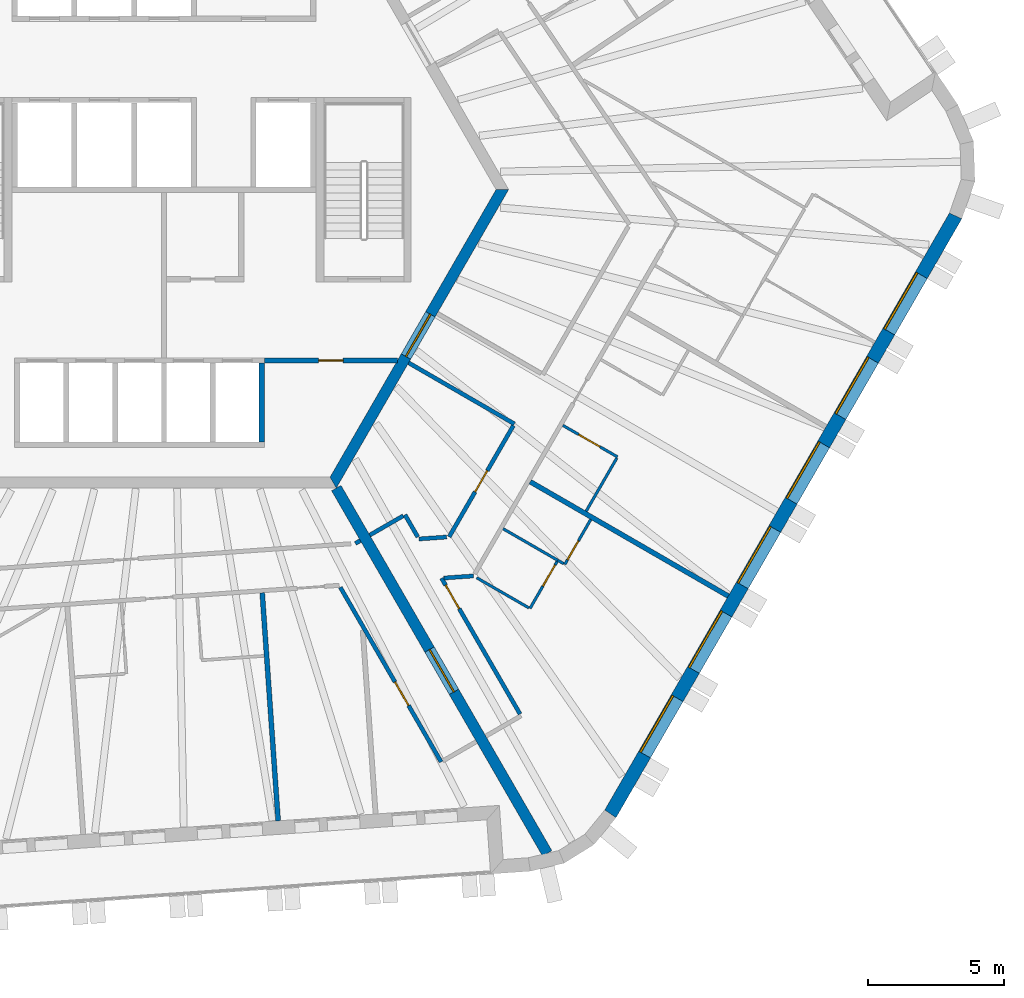
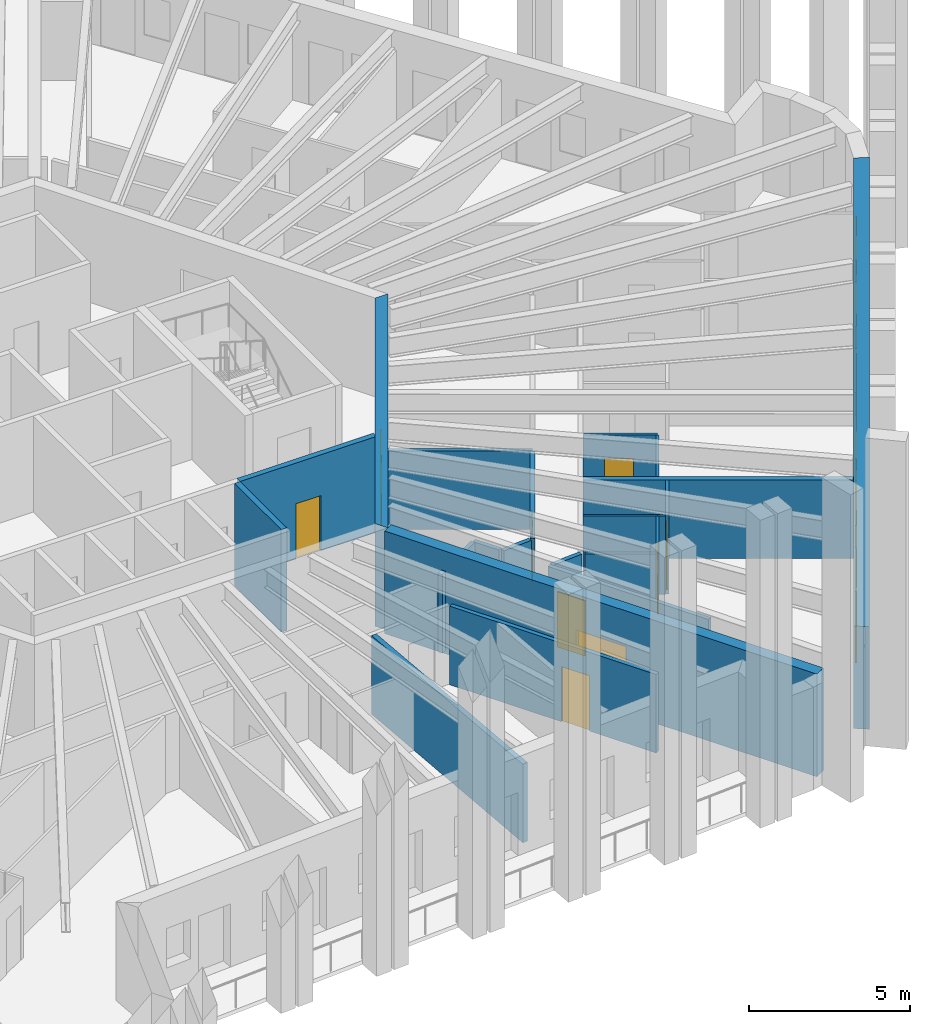
# One storey, part 6 of 13: 23 walls, 9 doors, 6 windows, 15 openings.
"""IFC4 building model written with IfcOpenShell, lengths in metres."""

from ifc_helpers import new_model, si_unit, direction, frame, frame_2d, origin, place, context, subcontext, project, spatial, polyline, rectangle, outline, extrude, material, layer, layer_set, type_object, element, fill, save


model = new_model("IFC4")

# Units and contexts
model_context = context("Model", 3, precision=1e-05, world=origin(), true_north=direction((0.0, 1.0)))
body_context = subcontext(model_context, "Body", "Model", "MODEL_VIEW")
ifc_project = project(units=[si_unit("LENGTHUNIT", "METRE"), si_unit("AREAUNIT", "SQUARE_METRE"), si_unit("VOLUMEUNIT", "CUBIC_METRE"), si_unit("PLANEANGLEUNIT", "RADIAN"), si_unit("MASSUNIT", "GRAM", prefix="KILO")], contexts=[model_context])

# Site, building, storey
site_placement = place(None, origin())
site = spatial("IfcSite", under=ifc_project, at=site_placement, CompositionType="ELEMENT")
building_placement = place(site_placement, origin())
building = spatial("IfcBuilding", under=site, at=building_placement, Name="Tarnside Tower", CompositionType="ELEMENT")
storey_placement = place(building_placement, frame((0.0, 0.0, 267.89990234375)))
storey = spatial("IfcBuildingStorey", under=building, at=storey_placement, Name="L64", CompositionType="ELEMENT", Elevation=267.89990234375)

# Wall, opening, door
ifc_material_1 = material(Name="Gypsum board partition on steel studs", Category="steel")
ifc_layer_1 = layer(ifc_material_1, 0.10009765625)
ifc_layer_set_1 = layer_set([ifc_layer_1], Name="Bathroom wall 100")
wall_type_1 = type_object("IfcWallType", Name="Bathroom wall 100", PredefinedType="PARTITIONING", material=ifc_layer_set_1)
wall_1_placement = place(storey_placement, frame((15.72802734375, -12.158203125, 0.0), z_axis=(0.0, 0.0, 1.0), x_axis=(-0.499947453424, -0.866055739439, 0.0)))
wall_1 = element("IfcWall", 1, at=wall_1_placement, inside=storey, type_object=wall_type_1, Name="Bathroom wall 21144", PredefinedType="PARTITIONING", context=body_context, shape_type="SweptSolid", body=[
    extrude(rectangle(XDim=1.909912109375, YDim=0.10009765625, at=frame_2d((0.955078125, 0.0))), origin(), (0.0, 0.0, 1.0), 2.98779296875),
])
opening_1_placement = place(wall_1_placement, frame((0.909912109375, 0.0, 0.0)))
opening_1 = element("IfcOpeningElement", 2, at=opening_1_placement, cuts=wall_1, Name="Opening D-B1", PredefinedType="OPENING", context=body_context, shape_type="SweptSolid", body=[
    extrude(rectangle(XDim=0.800048828125, YDim=2.10009765625, at=frame_2d((0.39990234375, 1.050048828125))), frame((0.0, 0.06005859375, 0.0), z_axis=(0.0, -1.0, 0.0), x_axis=(1.0, 0.0, 0.0)), (0.0, 0.0, 1.0), 0.1201171875),
])
ifc_material_2 = material(Name="Timber door leaf", Category="wood")
door_type_1 = type_object("IfcDoorType", Name="Bathroom door 800", OperationType="NOTDEFINED", PredefinedType="DOOR", material=ifc_material_2)
door_1_placement = place(opening_1_placement, origin())
door_1 = element("IfcDoor", 3, at=door_1_placement, inside=storey, type_object=door_type_1, Name="Bathroom door 21048", OperationType="SINGLE_SWING_LEFT", OverallHeight=2.10009765625, OverallWidth=0.800048828125, PredefinedType="DOOR", context=body_context, shape_type="SweptSolid", body=[
    extrude(rectangle(XDim=0.800048828125, YDim=2.10009765625, at=frame_2d((0.39990234375, 1.050048828125))), frame((0.0, 0.02490234375, 0.0), z_axis=(0.0, -1.0, 0.0), x_axis=(1.0, 0.0, 0.0)), (0.0, 0.0, 1.0), 0.050048828125),
])
fill(opening_1, door_1)

# Walls
wall_2_placement = place(storey_placement, frame((14.729736328125, -13.787353515625, 0.0), z_axis=(0.0, 0.0, 1.0), x_axis=(-0.865669265636, 0.500616342655, 0.0)))
element("IfcWall", 4, at=wall_2_placement, inside=storey, type_object=wall_type_1, Name="Bathroom wall 21145", PredefinedType="PARTITIONING", context=body_context, shape_type="SweptSolid", body=[
    extrude(rectangle(XDim=0.252197265625, YDim=0.10009765625, at=frame_2d((0.1259765625, 0.0))), origin(), (0.0, 0.0, 1.0), 2.98779296875),
])
wall_3_placement = place(storey_placement, frame((12.499755859375, -12.499755859375, 0.0), z_axis=(0.0, 0.0, 1.0), x_axis=(0.865998469481, -0.500046648681, 0.0)))
element("IfcWall", 5, at=wall_3_placement, inside=storey, type_object=wall_type_1, Name="Bathroom wall 21149", PredefinedType="PARTITIONING", context=body_context, shape_type="SweptSolid", body=[
    extrude(rectangle(XDim=2.324951171875, YDim=0.10009765625, at=frame_2d((1.16259765625, 0.0))), origin(), (0.0, 0.0, 1.0), 2.98779296875),
])

# Wall, opening, door
ifc_material_3 = material(Name="Concrete C40/50", Category="concrete")
ifc_layer_2 = layer(ifc_material_3, 0.199951171875)
ifc_layer_set_2 = layer_set([ifc_layer_2], Name="Core room partition 200 C40/50")
wall_type_2 = type_object("IfcWallType", Name="Core room partition 200 C40/50", PredefinedType="PARTITIONING", material=ifc_layer_set_2)
wall_4_placement = place(storey_placement, frame((3.699951171875, -6.300048828125, 0.0), z_axis=(0.0, 0.0, 1.0), x_axis=(1.0, 0.0, 0.0)))
wall_4 = element("IfcWall", 6, at=wall_4_placement, inside=storey, type_object=wall_type_2, Name="L64 core partition R4X", PredefinedType="PARTITIONING", context=body_context, shape_type="SweptSolid", body=[
    extrude(rectangle(XDim=4.902587890625, YDim=0.199951171875, at=frame_2d((2.451171875, 0.0))), origin(), (0.0, 0.0, 1.0), 3.650146484375),
])
opening_2_placement = place(wall_4_placement, frame((2.001220703125, 0.0, 0.0)))
opening_2 = element("IfcOpeningElement", 7, at=opening_2_placement, cuts=wall_4, Name="Opening CD-room", PredefinedType="OPENING", context=body_context, shape_type="SweptSolid", body=[
    extrude(rectangle(XDim=0.89990234375, YDim=2.10009765625, at=frame_2d((0.449951171875, 1.050048828125))), frame((0.0, 0.10986328125, 0.0), z_axis=(0.0, -1.0, 0.0), x_axis=(1.0, 0.0, 0.0)), (0.0, 0.0, 1.0), 0.219970703125),
])
ifc_material_4 = material(Name="Steel fire door", Category="steel")
door_type_2 = type_object("IfcDoorType", Name="Room door FD60 900x2100", OperationType="NOTDEFINED", PredefinedType="DOOR", material=ifc_material_4)
door_2_placement = place(opening_2_placement, origin())
door_2 = element("IfcDoor", 8, at=door_2_placement, inside=storey, type_object=door_type_2, Name="L64 core room door RX", OperationType="SINGLE_SWING_LEFT", OverallHeight=2.10009765625, OverallWidth=0.89990234375, PredefinedType="DOOR", context=body_context, shape_type="SweptSolid", body=[
    extrude(rectangle(XDim=0.89990234375, YDim=2.10009765625, at=frame_2d((0.449951171875, 1.050048828125))), frame((0.0, 0.02490234375, 0.0), z_axis=(0.0, -1.0, 0.0), x_axis=(1.0, 0.0, 0.0)), (0.0, 0.0, 1.0), 0.050048828125),
])
fill(opening_2, door_2)

ifc_material_5 = material(Name="Concrete C60/75", Category="concrete")
ifc_layer_3 = layer(ifc_material_5, 0.39990234375)
ifc_layer_set_3 = layer_set([ifc_layer_3], Name="Core wall Z3 400 C60/75")
wall_type_3 = type_object("IfcWallType", Name="Core wall Z3 400 C60/75", PredefinedType="SHEAR", material=ifc_layer_set_3)
wall_5_placement = place(storey_placement, frame((6.2353515625, -10.800048828125, -0.14990234375), z_axis=(0.0, 0.0, 1.0), x_axis=(0.499996419489, 0.866027470984, 0.0)))
wall_5 = element("IfcWall", 9, at=wall_5_placement, inside=storey, type_object=wall_type_3, Name="L64 core wall face 5", PredefinedType="SHEAR", context=body_context, shape_type="SweptSolid", body=[
    extrude(outline(polyline([(-0.115478515625, -0.199951171875), (12.586181640625, -0.199951171875), (12.355224609375, 0.199951171875), (0.115478515625, 0.199951171875), (-0.115478515625, -0.199951171875)])), origin(), (0.0, 0.0, 1.0), 3.89990234375),
])
opening_3_placement = place(wall_5_placement, frame((5.3642578125, 0.0, 0.14990234375)))
opening_3 = element("IfcOpeningElement", 10, at=opening_3_placement, cuts=wall_5, Name="Opening CD-FFL", PredefinedType="OPENING", context=body_context, shape_type="SweptSolid", body=[
    extrude(rectangle(XDim=1.800048828125, YDim=2.39990234375, at=frame_2d((0.89990234375, 1.199951171875))), frame((0.0, 0.2099609375, 0.0), z_axis=(0.0, -1.0, 0.0), x_axis=(1.0, 0.0, 0.0)), (0.0, 0.0, 1.0), 0.419921875),
])
door_type_3 = type_object("IfcDoorType", Name="Firefighting lobby double door FD60S 1800x2400", OperationType="NOTDEFINED", PredefinedType="DOOR", material=ifc_material_4)
door_3_placement = place(opening_3_placement, origin())
door_3 = element("IfcDoor", 11, at=door_3_placement, inside=storey, type_object=door_type_3, Name="L64 core door P4", OperationType="DOUBLE_DOOR_SINGLE_SWING", OverallHeight=2.39990234375, OverallWidth=1.800048828125, PredefinedType="DOOR", context=body_context, shape_type="SweptSolid", body=[
    extrude(rectangle(XDim=1.800048828125, YDim=2.39990234375, at=frame_2d((0.89990234375, 1.199951171875))), frame((0.0, 0.02490234375, 0.0), z_axis=(0.0, -1.0, 0.0), x_axis=(1.0, 0.0, 0.0)), (0.0, 0.0, 1.0), 0.050048828125),
])
fill(opening_3, door_3)

wall_6_placement = place(storey_placement, frame((6.350830078125, -11.0, -0.14990234375), z_axis=(0.0, 0.0, 1.0), x_axis=(0.499998894578, -0.866026041999, 0.0)))
wall_6 = element("IfcWall", 12, at=wall_6_placement, inside=storey, type_object=wall_type_3, Name="L64 spine wall 3", PredefinedType="SHEAR", context=body_context, shape_type="SweptSolid", body=[
    extrude(rectangle(XDim=15.54443359375, YDim=0.39990234375, at=frame_2d((7.772216796875, 0.0))), origin(), (0.0, 0.0, 1.0), 3.89990234375),
])
opening_4_placement = place(wall_6_placement, frame((6.872314453125, 0.0, 0.14990234375)))
opening_4 = element("IfcOpeningElement", 13, at=opening_4_placement, cuts=wall_6, Name="Opening CD-SPN", PredefinedType="OPENING", context=body_context, shape_type="SweptSolid", body=[
    extrude(rectangle(XDim=1.800048828125, YDim=2.39990234375, at=frame_2d((0.89990234375, 1.199951171875))), frame((0.0, 0.2099609375, 0.0), z_axis=(0.0, -1.0, 0.0), x_axis=(1.0, 0.0, 0.0)), (0.0, 0.0, 1.0), 0.419921875),
])
door_type_4 = type_object("IfcDoorType", Name="Spine passage double door FD60 1800x2400", OperationType="NOTDEFINED", PredefinedType="DOOR", material=ifc_material_4)
door_4_placement = place(opening_4_placement, origin())
door_4 = element("IfcDoor", 14, at=door_4_placement, inside=storey, type_object=door_type_4, Name="L64 spine passage door 3", OperationType="DOUBLE_DOOR_SINGLE_SWING", OverallHeight=2.39990234375, OverallWidth=1.800048828125, PredefinedType="DOOR", context=body_context, shape_type="SweptSolid", body=[
    extrude(rectangle(XDim=1.800048828125, YDim=2.39990234375, at=frame_2d((0.89990234375, 1.199951171875))), frame((0.0, 0.02490234375, 0.0), z_axis=(0.0, -1.0, 0.0), x_axis=(1.0, 0.0, 0.0)), (0.0, 0.0, 1.0), 0.050048828125),
])
fill(opening_4, door_4)

ifc_layer_4 = layer(ifc_material_1, 0.14990234375)
ifc_layer_set_4 = layer_set([ifc_layer_4], Name="Corridor wall 150 EI 60")
wall_type_4 = type_object("IfcWallType", Name="Corridor wall 150 EI 60", PredefinedType="PARTITIONING", material=ifc_layer_set_4)
wall_7_placement = place(storey_placement, frame((6.49951171875, -14.6572265625, 0.0), z_axis=(0.0, 0.0, 1.0), x_axis=(0.499966098742, -0.8660449758, 0.0)))
wall_7 = element("IfcWall", 15, at=wall_7_placement, inside=storey, type_object=wall_type_4, Name="Corridor wall 21044", PredefinedType="PARTITIONING", context=body_context, shape_type="SweptSolid", body=[
    extrude(rectangle(XDim=7.4306640625, YDim=0.14990234375, at=frame_2d((3.71533203125, 0.0))), origin(), (0.0, 0.0, 1.0), 2.98779296875),
])
opening_5_placement = place(wall_7_placement, frame((4.02978515625, 0.0, 0.0)))
opening_5 = element("IfcOpeningElement", 16, at=opening_5_placement, cuts=wall_7, Name="Opening D-E1", PredefinedType="OPENING", context=body_context, shape_type="SweptSolid", body=[
    extrude(rectangle(XDim=1.0, YDim=2.10009765625, at=frame_2d((0.5, 1.050048828125))), frame((0.0, 0.0849609375, 0.0), z_axis=(0.0, -1.0, 0.0), x_axis=(1.0, 0.0, 0.0)), (0.0, 0.0, 1.0), 0.169921875),
])
door_type_5 = type_object("IfcDoorType", Name="Unit entrance door 1000 FD30S", OperationType="NOTDEFINED", PredefinedType="DOOR", material=ifc_material_2)
door_5_placement = place(opening_5_placement, origin())
door_5 = element("IfcDoor", 17, at=door_5_placement, inside=storey, type_object=door_type_5, Name="Unit door 21046", OperationType="SINGLE_SWING_RIGHT", OverallHeight=2.10009765625, OverallWidth=1.0, PredefinedType="DOOR", context=body_context, shape_type="SweptSolid", body=[
    extrude(rectangle(XDim=1.0, YDim=2.10009765625, at=frame_2d((0.5, 1.050048828125))), frame((0.0, 0.02490234375, 0.0), z_axis=(0.0, -1.0, 0.0), x_axis=(1.0, 0.0, 0.0)), (0.0, 0.0, 1.0), 0.050048828125),
])
fill(opening_5, door_5)

# Wall
wall_8_placement = place(storey_placement, frame((7.23681640625, -12.9345703125, 0.0), z_axis=(0.0, 0.0, 1.0), x_axis=(-0.866088799389, -0.499890179513, 0.0)))
element("IfcWall", 18, at=wall_8_placement, inside=storey, type_object=wall_type_4, Name="Corridor wall 21052", PredefinedType="PARTITIONING", context=body_context, shape_type="SweptSolid", body=[
    extrude(rectangle(XDim=0.2099609375, YDim=0.14990234375, at=frame_2d((0.10498046875, 0.0))), origin(), (0.0, 0.0, 1.0), 2.98779296875),
])

# Wall, opening, door
wall_9_placement = place(storey_placement, frame((13.121826171875, -19.327392578125, 0.0), z_axis=(0.0, 0.0, 1.0), x_axis=(-0.500013707032, 0.866017489881, 0.0)))
wall_9 = element("IfcWall", 19, at=wall_9_placement, inside=storey, type_object=wall_type_4, Name="Corridor wall 21057", PredefinedType="PARTITIONING", context=body_context, shape_type="SweptSolid", body=[
    extrude(rectangle(XDim=5.780517578125, YDim=0.14990234375, at=frame_2d((2.89013671875, 0.0))), origin(), (0.0, 0.0, 1.0), 2.98779296875),
])
opening_6_placement = place(wall_9_placement, frame((4.480712890625, 0.0, 0.0)))
opening_6 = element("IfcOpeningElement", 20, at=opening_6_placement, cuts=wall_9, Name="Opening D-E1", PredefinedType="OPENING", context=body_context, shape_type="SweptSolid", body=[
    extrude(rectangle(XDim=1.0, YDim=2.10009765625, at=frame_2d((0.5, 1.050048828125))), frame((0.0, 0.0849609375, 0.0), z_axis=(0.0, -1.0, 0.0), x_axis=(1.0, 0.0, 0.0)), (0.0, 0.0, 1.0), 0.169921875),
])
door_6_placement = place(opening_6_placement, origin())
door_6 = element("IfcDoor", 21, at=door_6_placement, inside=storey, type_object=door_type_5, Name="Unit door 21047", OperationType="SINGLE_SWING_LEFT", OverallHeight=2.10009765625, OverallWidth=1.0, PredefinedType="DOOR", context=body_context, shape_type="SweptSolid", body=[
    extrude(rectangle(XDim=1.0, YDim=2.10009765625, at=frame_2d((0.5, 1.050048828125))), frame((0.0, 0.02490234375, 0.0), z_axis=(0.0, -1.0, 0.0), x_axis=(1.0, 0.0, 0.0)), (0.0, 0.0, 1.0), 0.050048828125),
])
fill(opening_6, door_6)

# Walls
wall_10_placement = place(storey_placement, frame((10.314453125, -14.3154296875, 0.0), z_axis=(0.0, 0.0, 1.0), x_axis=(0.997557107149, 0.069855693944, 0.0)))
element("IfcWall", 22, at=wall_10_placement, inside=storey, type_object=wall_type_4, Name="Corridor wall 21058", PredefinedType="PARTITIONING", context=body_context, shape_type="SweptSolid", body=[
    extrude(rectangle(XDim=1.097412109375, YDim=0.14990234375, at=frame_2d((0.548828125, 0.0))), origin(), (0.0, 0.0, 1.0), 2.98779296875),
])
wall_11_placement = place(storey_placement, frame((9.015625, -6.38427734375, 0.0), z_axis=(0.0, 0.0, 1.0), x_axis=(0.866031096941, -0.499990139034, 0.0)))
element("IfcWall", 23, at=wall_11_placement, inside=storey, type_object=wall_type_4, Name="Corridor wall 21078", PredefinedType="PARTITIONING", context=body_context, shape_type="SweptSolid", body=[
    extrude(rectangle(XDim=4.5, YDim=0.14990234375, at=frame_2d((2.25, 0.0))), origin(), (0.0, 0.0, 1.0), 2.98779296875),
])

# Wall, opening, door
wall_12_placement = place(storey_placement, frame((12.875244140625, -8.69921875, 0.0), z_axis=(0.0, 0.0, 1.0), x_axis=(-0.49999482868, -0.866028389427, 0.0)))
wall_12 = element("IfcWall", 24, at=wall_12_placement, inside=storey, type_object=wall_type_4, Name="Corridor wall 21079", PredefinedType="PARTITIONING", context=body_context, shape_type="SweptSolid", body=[
    extrude(rectangle(XDim=4.73291015625, YDim=0.14990234375, at=frame_2d((2.366455078125, 0.0))), origin(), (0.0, 0.0, 1.0), 2.98779296875),
])
opening_7_placement = place(wall_12_placement, frame((1.91650390625, 0.0, 0.0)))
opening_7 = element("IfcOpeningElement", 25, at=opening_7_placement, cuts=wall_12, Name="Opening D-S1", PredefinedType="OPENING", context=body_context, shape_type="SweptSolid", body=[
    extrude(rectangle(XDim=0.89990234375, YDim=2.10009765625, at=frame_2d((0.449951171875, 1.050048828125))), frame((0.0, 0.0849609375, 0.0), z_axis=(0.0, -1.0, 0.0), x_axis=(1.0, 0.0, 0.0)), (0.0, 0.0, 1.0), 0.169921875),
])
door_type_6 = type_object("IfcDoorType", Name="Service room door 900 FD30S", OperationType="NOTDEFINED", PredefinedType="DOOR", material=ifc_material_2)
door_7_placement = place(opening_7_placement, origin())
door_7 = element("IfcDoor", 26, at=door_7_placement, inside=storey, type_object=door_type_6, Name="Service door 21074", OperationType="SINGLE_SWING_LEFT", OverallHeight=2.10009765625, OverallWidth=0.89990234375, PredefinedType="DOOR", context=body_context, shape_type="SweptSolid", body=[
    extrude(rectangle(XDim=0.89990234375, YDim=2.10009765625, at=frame_2d((0.449951171875, 1.050048828125))), frame((0.0, 0.02490234375, 0.0), z_axis=(0.0, -1.0, 0.0), x_axis=(1.0, 0.0, 0.0)), (0.0, 0.0, 1.0), 0.050048828125),
])
fill(opening_7, door_7)

# Walls
wall_13_placement = place(storey_placement, frame((10.418701171875, -12.804443359375, 0.0), z_axis=(0.0, 0.0, 1.0), x_axis=(-0.997558136861, -0.069840987838, 0.0)))
element("IfcWall", 27, at=wall_13_placement, inside=storey, type_object=wall_type_4, Name="Corridor wall 21080", PredefinedType="PARTITIONING", context=body_context, shape_type="SweptSolid", body=[
    extrude(rectangle(XDim=1.024169921875, YDim=0.14990234375, at=frame_2d((0.51220703125, 0.0))), origin(), (0.0, 0.0, 1.0), 2.98779296875),
])
wall_14_placement = place(storey_placement, frame((9.355224609375, -12.8037109375, 0.0), z_axis=(0.0, 0.0, 1.0), x_axis=(-0.499998034377, 0.866026538634, 0.0)))
element("IfcWall", 28, at=wall_14_placement, inside=storey, type_object=wall_type_4, Name="Corridor wall 21081", PredefinedType="PARTITIONING", context=body_context, shape_type="SweptSolid", body=[
    extrude(rectangle(XDim=0.94580078125, YDim=0.14990234375, at=frame_2d((0.472900390625, 0.0))), origin(), (0.0, 0.0, 1.0), 2.98779296875),
])
wall_15_placement = place(storey_placement, frame((8.8173828125, -12.022216796875, 0.0), z_axis=(0.0, 0.0, 1.0), x_axis=(-0.866062911188, -0.499935029643, 0.0)))
element("IfcWall", 29, at=wall_15_placement, inside=storey, type_object=wall_type_4, Name="Corridor wall 21082", PredefinedType="PARTITIONING", context=body_context, shape_type="SweptSolid", body=[
    extrude(rectangle(XDim=1.425048828125, YDim=0.14990234375, at=frame_2d((0.71240234375, 0.0))), origin(), (0.0, 0.0, 1.0), 2.98779296875),
])
ifc_layer_5 = layer(ifc_material_1, 0.179931640625)
ifc_layer_set_5 = layer_set([ifc_layer_5], Name="Demising wall 180 EI 60")
wall_type_5 = type_object("IfcWallType", Name="Demising wall 180 EI 60", PredefinedType="PARTITIONING", material=ifc_layer_set_5)
wall_16_placement = place(storey_placement, frame((4.208251953125, -23.26318359375, 0.0), z_axis=(0.0, 0.0, 1.0), x_axis=(-0.069749826803, 0.997564515037, 0.0)))
element("IfcWall", 30, at=wall_16_placement, inside=storey, type_object=wall_type_5, Name="Demising wall 21141", PredefinedType="PARTITIONING", context=body_context, shape_type="SweptSolid", body=[
    extrude(rectangle(XDim=8.425048828125, YDim=0.179931640625, at=frame_2d((4.21240234375, 0.0))), origin(), (0.0, 0.0, 1.0), 2.98779296875),
])
wall_17_placement = place(storey_placement, frame((20.796142578125, -14.980224609375, 0.0), z_axis=(0.0, 0.0, 1.0), x_axis=(-0.866021515814, 0.500006734102, 0.0)))
element("IfcWall", 31, at=wall_17_placement, inside=storey, type_object=wall_type_5, Name="Demising wall 21148", PredefinedType="PARTITIONING", context=body_context, shape_type="SweptSolid", body=[
    extrude(rectangle(XDim=8.42529296875, YDim=0.179931640625, at=frame_2d((4.212646484375, 0.0))), origin(), (0.0, 0.0, 1.0), 2.98779296875),
])
ifc_layer_6 = layer(ifc_material_3, 0.199951171875)
ifc_layer_set_6 = layer_set([ifc_layer_6], Name="Lift shaft wall 200 C40/50")
wall_type_6 = type_object("IfcWallType", Name="Lift shaft wall 200 C40/50", PredefinedType="SHEAR", material=ifc_layer_set_6)
wall_18_placement = place(storey_placement, frame((3.60009765625, -9.300048828125, -0.25), z_axis=(0.0, 0.0, 1.0), x_axis=(0.0, 1.0, 0.0)))
element("IfcWall", 32, at=wall_18_placement, inside=storey, type_object=wall_type_6, Name="L64 lift shaft partition R46", PredefinedType="SHEAR", context=body_context, shape_type="SweptSolid", body=[
    extrude(rectangle(XDim=2.900146484375, YDim=0.199951171875, at=frame_2d((1.4501953125, 0.0))), origin(), (0.0, 0.0, 1.0), 3.900146484375),
])

# Wall, opening, door
ifc_layer_7 = layer(ifc_material_1, 0.10009765625)
ifc_layer_set_7 = layer_set([ifc_layer_7], Name="Partition 100")
wall_type_7 = type_object("IfcWallType", Name="Partition 100", PredefinedType="PARTITIONING", material=ifc_layer_set_7)
wall_19_placement = place(storey_placement, frame((14.48828125, -13.70556640625, 0.0), z_axis=(0.0, 0.0, 1.0), x_axis=(-0.500035721725, -0.866004778855, 0.0)))
wall_19 = element("IfcWall", 33, at=wall_19_placement, inside=storey, type_object=wall_type_7, Name="Partition wall 21146", PredefinedType="PARTITIONING", context=body_context, shape_type="SweptSolid", body=[
    extrude(rectangle(XDim=2.001220703125, YDim=0.10009765625, at=frame_2d((1.00048828125, 0.0))), origin(), (0.0, 0.0, 1.0), 2.98779296875),
])
opening_8_placement = place(wall_19_placement, frame((0.14990234375, 0.0, 0.0)))
opening_8 = element("IfcOpeningElement", 34, at=opening_8_placement, cuts=wall_19, Name="Opening D-I1", PredefinedType="OPENING", context=body_context, shape_type="SweptSolid", body=[
    extrude(rectangle(XDim=0.89990234375, YDim=2.10009765625, at=frame_2d((0.449951171875, 1.050048828125))), frame((0.0, 0.06005859375, 0.0), z_axis=(0.0, -1.0, 0.0), x_axis=(1.0, 0.0, 0.0)), (0.0, 0.0, 1.0), 0.1201171875),
])
door_type_7 = type_object("IfcDoorType", Name="Internal door 900", OperationType="NOTDEFINED", PredefinedType="DOOR", material=ifc_material_2)
door_8_placement = place(opening_8_placement, origin())
door_8 = element("IfcDoor", 35, at=door_8_placement, inside=storey, type_object=door_type_7, Name="Internal door 21049", OperationType="SINGLE_SWING_RIGHT", OverallHeight=2.10009765625, OverallWidth=0.89990234375, PredefinedType="DOOR", context=body_context, shape_type="SweptSolid", body=[
    extrude(rectangle(XDim=0.89990234375, YDim=2.10009765625, at=frame_2d((0.449951171875, 1.050048828125))), frame((0.0, 0.02490234375, 0.0), z_axis=(0.0, -1.0, 0.0), x_axis=(1.0, 0.0, 0.0)), (0.0, 0.0, 1.0), 0.050048828125),
])
fill(opening_8, door_8)

# Wall
wall_20_placement = place(storey_placement, frame((13.4443359375, -15.413818359375, 0.0), z_axis=(0.0, 0.0, 1.0), x_axis=(-0.866024121142, 0.500002221596, 0.0)))
element("IfcWall", 36, at=wall_20_placement, inside=storey, type_object=wall_type_7, Name="Partition wall 21147", PredefinedType="PARTITIONING", context=body_context, shape_type="SweptSolid", body=[
    extrude(rectangle(XDim=2.2158203125, YDim=0.10009765625, at=frame_2d((1.10791015625, 0.0))), origin(), (0.0, 0.0, 1.0), 2.98779296875),
])

# Wall, opening, door
wall_21_placement = place(storey_placement, frame((14.69970703125, -8.689208984375, 0.0), z_axis=(0.0, 0.0, 1.0), x_axis=(0.866024722723, -0.500001179632, 0.0)))
wall_21 = element("IfcWall", 37, at=wall_21_placement, inside=storey, type_object=wall_type_7, Name="Partition wall 21154", PredefinedType="PARTITIONING", context=body_context, shape_type="SweptSolid", body=[
    extrude(rectangle(XDim=2.3251953125, YDim=0.10009765625, at=frame_2d((1.16259765625, 0.0))), origin(), (0.0, 0.0, 1.0), 2.98779296875),
])
opening_9_placement = place(wall_21_placement, frame((0.675048828125, 0.0, 0.0)))
opening_9 = element("IfcOpeningElement", 38, at=opening_9_placement, cuts=wall_21, Name="Opening D-I1", PredefinedType="OPENING", context=body_context, shape_type="SweptSolid", body=[
    extrude(rectangle(XDim=0.89990234375, YDim=2.10009765625, at=frame_2d((0.449951171875, 1.050048828125))), frame((0.0, 0.06005859375, 0.0), z_axis=(0.0, -1.0, 0.0), x_axis=(1.0, 0.0, 0.0)), (0.0, 0.0, 1.0), 0.1201171875),
])
door_9_placement = place(opening_9_placement, origin())
door_9 = element("IfcDoor", 39, at=door_9_placement, inside=storey, type_object=door_type_7, Name="Internal door 21052", OperationType="SINGLE_SWING_RIGHT", OverallHeight=2.10009765625, OverallWidth=0.89990234375, PredefinedType="DOOR", context=body_context, shape_type="SweptSolid", body=[
    extrude(rectangle(XDim=0.89990234375, YDim=2.10009765625, at=frame_2d((0.449951171875, 1.050048828125))), frame((0.0, 0.02490234375, 0.0), z_axis=(0.0, -1.0, 0.0), x_axis=(1.0, 0.0, 0.0)), (0.0, 0.0, 1.0), 0.050048828125),
])
fill(opening_9, door_9)

# Wall
wall_22_placement = place(storey_placement, frame((16.688232421875, -9.89501953125, 0.0), z_axis=(0.0, 0.0, 1.0), x_axis=(-0.49995000081, -0.866054268906, 0.0)))
element("IfcWall", 40, at=wall_22_placement, inside=storey, type_object=wall_type_7, Name="Partition wall 21155", PredefinedType="PARTITIONING", context=body_context, shape_type="SweptSolid", body=[
    extrude(rectangle(XDim=2.260009765625, YDim=0.10009765625, at=frame_2d((1.1298828125, 0.0))), origin(), (0.0, 0.0, 1.0), 2.98779296875),
])

# Wall, openings, windows
ifc_material_6 = material(Name="Facing brick", Category="masonry")
ifc_layer_8 = layer(ifc_material_6, 0.10205078125)
ifc_material_7 = material(Name="Concrete C60/75 precast", Category="concrete")
ifc_layer_9 = layer(ifc_material_7, 0.298095703125)
ifc_material_8 = material(Name="Mineral wool insulation")
ifc_layer_10 = layer(ifc_material_8, 0.10009765625)
ifc_layer_set_8 = layer_set([ifc_layer_8, ifc_layer_9, ifc_layer_10], Name="Tube wall 500 brick faced")
wall_type_8 = type_object("IfcWallType", Name="Tube wall 500 brick faced", PredefinedType="SOLIDWALL", material=ifc_layer_set_8)
wall_23_placement = place(storey_placement, frame((16.451416015625, -23.00537109375, -0.14990234375), z_axis=(0.0, 0.0, 1.0), x_axis=(0.500003737743, 0.866023245787, 0.0)))
wall_23 = element("IfcWall", 41, at=wall_23_placement, inside=storey, type_object=wall_type_8, Name="Tube wall L64 F5 flush 24", PredefinedType="SOLIDWALL", context=body_context, shape_type="SweptSolid", body=[
    extrude(outline(polyline([(-0.0205078125, -0.25), (25.468017578125, -0.25), (25.421142578125, 0.25), (0.0205078125, 0.25), (-0.0205078125, -0.25)])), origin(), (0.0, 0.0, 1.0), 3.89990234375),
])
opening_10_placement = place(wall_23_placement, frame((2.5224609375, 0.0, 0.75)))
opening_10 = element("IfcOpeningElement", 42, at=opening_10_placement, cuts=wall_23, Name="Opening WR", PredefinedType="OPENING", context=body_context, shape_type="SweptSolid", body=[
    extrude(rectangle(XDim=2.39990234375, YDim=2.699951171875, at=frame_2d((1.199951171875, 1.35009765625))), frame((0.0, 0.260009765625, 0.0), z_axis=(0.0, -1.0, 0.0), x_axis=(1.0, 0.0, 0.0)), (0.0, 0.0, 1.0), 0.52001953125),
])
opening_11_placement = place(wall_23_placement, frame((6.122314453125, 0.0, 0.75)))
opening_11 = element("IfcOpeningElement", 43, at=opening_11_placement, cuts=wall_23, Name="Opening WR", PredefinedType="OPENING", context=body_context, shape_type="SweptSolid", body=[
    extrude(rectangle(XDim=2.39990234375, YDim=2.699951171875, at=frame_2d((1.199951171875, 1.35009765625))), frame((0.0, 0.260009765625, 0.0), z_axis=(0.0, -1.0, 0.0), x_axis=(1.0, 0.0, 0.0)), (0.0, 0.0, 1.0), 0.52001953125),
])
opening_12_placement = place(wall_23_placement, frame((9.722412109375, 0.0, 0.75)))
opening_12 = element("IfcOpeningElement", 44, at=opening_12_placement, cuts=wall_23, Name="Opening WR", PredefinedType="OPENING", context=body_context, shape_type="SweptSolid", body=[
    extrude(rectangle(XDim=2.39990234375, YDim=2.699951171875, at=frame_2d((1.199951171875, 1.35009765625))), frame((0.0, 0.260009765625, 0.0), z_axis=(0.0, -1.0, 0.0), x_axis=(1.0, 0.0, 0.0)), (0.0, 0.0, 1.0), 0.52001953125),
])
opening_13_placement = place(wall_23_placement, frame((13.322509765625, 0.0, 0.75)))
opening_13 = element("IfcOpeningElement", 45, at=opening_13_placement, cuts=wall_23, Name="Opening WR", PredefinedType="OPENING", context=body_context, shape_type="SweptSolid", body=[
    extrude(rectangle(XDim=2.39990234375, YDim=2.699951171875, at=frame_2d((1.199951171875, 1.35009765625))), frame((0.0, 0.260009765625, 0.0), z_axis=(0.0, -1.0, 0.0), x_axis=(1.0, 0.0, 0.0)), (0.0, 0.0, 1.0), 0.52001953125),
])
opening_14_placement = place(wall_23_placement, frame((16.92236328125, 0.0, 0.75)))
opening_14 = element("IfcOpeningElement", 46, at=opening_14_placement, cuts=wall_23, Name="Opening WR", PredefinedType="OPENING", context=body_context, shape_type="SweptSolid", body=[
    extrude(rectangle(XDim=2.39990234375, YDim=2.699951171875, at=frame_2d((1.199951171875, 1.35009765625))), frame((0.0, 0.260009765625, 0.0), z_axis=(0.0, -1.0, 0.0), x_axis=(1.0, 0.0, 0.0)), (0.0, 0.0, 1.0), 0.52001953125),
])
opening_15_placement = place(wall_23_placement, frame((20.5224609375, 0.0, 0.75)))
opening_15 = element("IfcOpeningElement", 47, at=opening_15_placement, cuts=wall_23, Name="Opening WR", PredefinedType="OPENING", context=body_context, shape_type="SweptSolid", body=[
    extrude(rectangle(XDim=2.39990234375, YDim=2.699951171875, at=frame_2d((1.199951171875, 1.35009765625))), frame((0.0, 0.260009765625, 0.0), z_axis=(0.0, -1.0, 0.0), x_axis=(1.0, 0.0, 0.0)), (0.0, 0.0, 1.0), 0.52001953125),
])
ifc_material_9 = material(Name="Aluminium-framed double glazing", Category="aluminium")
window_type = type_object("IfcWindowType", Name="Residence window 2400 x 2700", PartitioningType="DOUBLE_PANEL_VERTICAL", PredefinedType="WINDOW", material=ifc_material_9)
window_1_placement = place(opening_10_placement, frame((0.0, 0.179931640625, 0.0)))
window_1 = element("IfcWindow", 48, at=window_1_placement, inside=storey, type_object=window_type, Name="E.WN.L64.F5.00", OverallHeight=2.699951171875, OverallWidth=2.39990234375, PartitioningType="DOUBLE_PANEL_VERTICAL", PredefinedType="WINDOW", context=body_context, shape_type="SweptSolid", body=[
    extrude(rectangle(XDim=2.39990234375, YDim=2.699951171875, at=frame_2d((1.199951171875, 1.35009765625))), frame((0.0, 0.030029296875, 0.0), z_axis=(0.0, -1.0, 0.0), x_axis=(1.0, 0.0, 0.0)), (0.0, 0.0, 1.0), 0.06005859375),
])
fill(opening_10, window_1)
window_2_placement = place(opening_11_placement, frame((0.0, 0.179931640625, 0.0)))
window_2 = element("IfcWindow", 49, at=window_2_placement, inside=storey, type_object=window_type, Name="E.WN.L64.F5.01", OverallHeight=2.699951171875, OverallWidth=2.39990234375, PartitioningType="DOUBLE_PANEL_VERTICAL", PredefinedType="WINDOW", context=body_context, shape_type="SweptSolid", body=[
    extrude(rectangle(XDim=2.39990234375, YDim=2.699951171875, at=frame_2d((1.199951171875, 1.35009765625))), frame((0.0, 0.030029296875, 0.0), z_axis=(0.0, -1.0, 0.0), x_axis=(1.0, 0.0, 0.0)), (0.0, 0.0, 1.0), 0.06005859375),
])
fill(opening_11, window_2)
window_3_placement = place(opening_12_placement, frame((0.0, 0.179931640625, 0.0)))
window_3 = element("IfcWindow", 50, at=window_3_placement, inside=storey, type_object=window_type, Name="E.WN.L64.F5.02", OverallHeight=2.699951171875, OverallWidth=2.39990234375, PartitioningType="DOUBLE_PANEL_VERTICAL", PredefinedType="WINDOW", context=body_context, shape_type="SweptSolid", body=[
    extrude(rectangle(XDim=2.39990234375, YDim=2.699951171875, at=frame_2d((1.199951171875, 1.35009765625))), frame((0.0, 0.030029296875, 0.0), z_axis=(0.0, -1.0, 0.0), x_axis=(1.0, 0.0, 0.0)), (0.0, 0.0, 1.0), 0.06005859375),
])
fill(opening_12, window_3)
window_4_placement = place(opening_13_placement, frame((0.0, 0.179931640625, 0.0)))
window_4 = element("IfcWindow", 51, at=window_4_placement, inside=storey, type_object=window_type, Name="E.WN.L64.F5.03", OverallHeight=2.699951171875, OverallWidth=2.39990234375, PartitioningType="DOUBLE_PANEL_VERTICAL", PredefinedType="WINDOW", context=body_context, shape_type="SweptSolid", body=[
    extrude(rectangle(XDim=2.39990234375, YDim=2.699951171875, at=frame_2d((1.199951171875, 1.35009765625))), frame((0.0, 0.030029296875, 0.0), z_axis=(0.0, -1.0, 0.0), x_axis=(1.0, 0.0, 0.0)), (0.0, 0.0, 1.0), 0.06005859375),
])
fill(opening_13, window_4)
window_5_placement = place(opening_14_placement, frame((0.0, 0.179931640625, 0.0)))
window_5 = element("IfcWindow", 52, at=window_5_placement, inside=storey, type_object=window_type, Name="E.WN.L64.F5.04", OverallHeight=2.699951171875, OverallWidth=2.39990234375, PartitioningType="DOUBLE_PANEL_VERTICAL", PredefinedType="WINDOW", context=body_context, shape_type="SweptSolid", body=[
    extrude(rectangle(XDim=2.39990234375, YDim=2.699951171875, at=frame_2d((1.199951171875, 1.35009765625))), frame((0.0, 0.030029296875, 0.0), z_axis=(0.0, -1.0, 0.0), x_axis=(1.0, 0.0, 0.0)), (0.0, 0.0, 1.0), 0.06005859375),
])
fill(opening_14, window_5)
window_6_placement = place(opening_15_placement, frame((0.0, 0.179931640625, 0.0)))
window_6 = element("IfcWindow", 53, at=window_6_placement, inside=storey, type_object=window_type, Name="E.WN.L64.F5.05", OverallHeight=2.699951171875, OverallWidth=2.39990234375, PartitioningType="DOUBLE_PANEL_VERTICAL", PredefinedType="WINDOW", context=body_context, shape_type="SweptSolid", body=[
    extrude(rectangle(XDim=2.39990234375, YDim=2.699951171875, at=frame_2d((1.199951171875, 1.35009765625))), frame((0.0, 0.030029296875, 0.0), z_axis=(0.0, -1.0, 0.0), x_axis=(1.0, 0.0, 0.0)), (0.0, 0.0, 1.0), 0.06005859375),
])
fill(opening_15, window_6)

save(model, "model.ifc")
